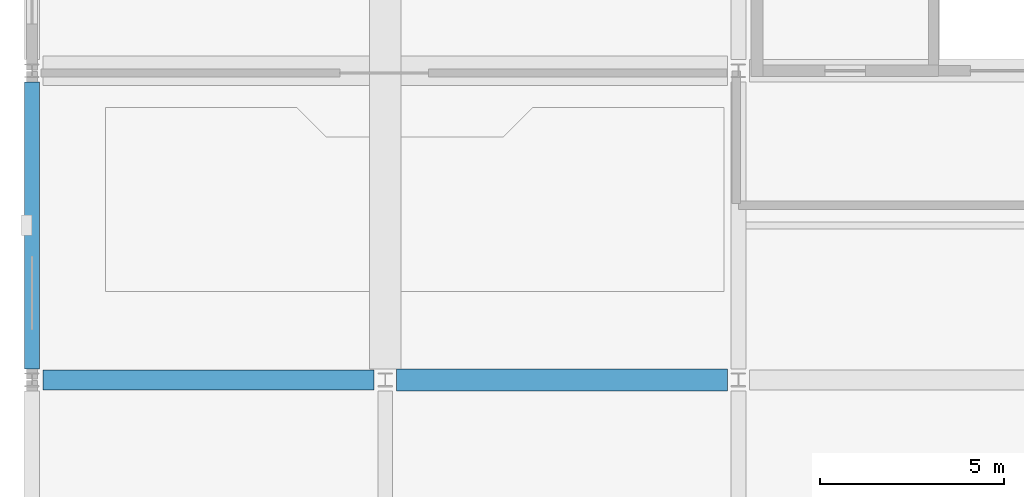
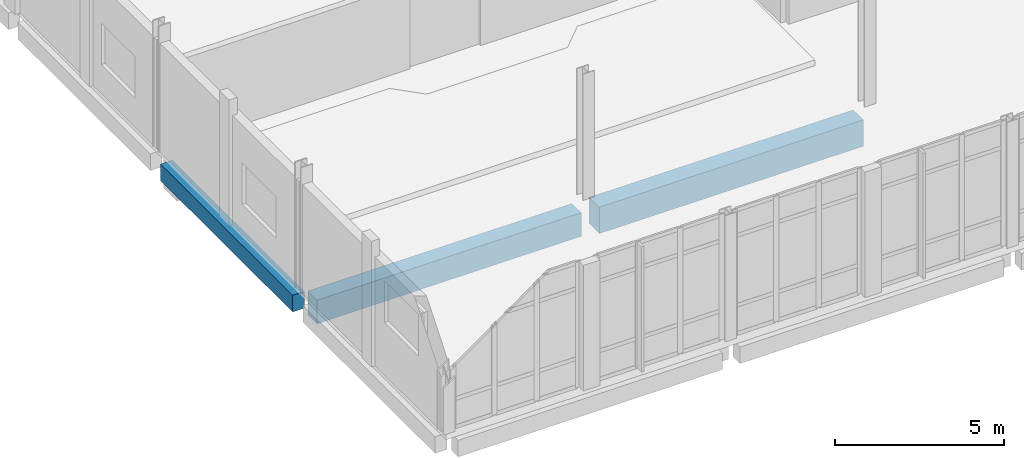
# One storey, part 52 of 102: 3 beams.
"""IFC4 building model written with IfcOpenShell, lengths in metres."""

from ifc_helpers import new_model, si_unit, direction, frame, origin, origin_2d, place, context, subcontext, project, spatial, rectangle, extrude, material, material_profile, profile_set, type_object, element, save


model = new_model("IFC4")

# Units and contexts
model_context = context("Model", 3, precision=1e-05, world=origin(), true_north=direction((0.0, 1.0)))
body_context = subcontext(model_context, "Body", "Model", "MODEL_VIEW")
ifc_project = project(units=[si_unit("LENGTHUNIT", "METRE"), si_unit("AREAUNIT", "SQUARE_METRE"), si_unit("VOLUMEUNIT", "CUBIC_METRE"), si_unit("PLANEANGLEUNIT", "RADIAN"), si_unit("MASSUNIT", "GRAM", prefix="KILO")], contexts=[model_context])

# Site, building, storey
site_placement = place(None, origin())
site = spatial("IfcSite", under=ifc_project, at=site_placement, CompositionType="ELEMENT")
building_placement = place(site_placement, origin())
building = spatial("IfcBuilding", under=site, at=building_placement, Name="Lornevale Opera House", CompositionType="ELEMENT")
storey_placement = place(building_placement, frame((0.0, 0.0, 5.39990234375)))
storey = spatial("IfcBuildingStorey", under=building, at=storey_placement, Name="L02", CompositionType="ELEMENT", Elevation=5.39990234375)

# Beams
ifc_material = material(Name="Concrete 35 MPa (CSA A23.1 N)", Category="concrete")
ifc_material_profile_1 = material_profile(ifc_material, rectangle(XDim=0.550048828125, YDim=0.85009765625, at=origin_2d()), Name="RC550x850")
ifc_profile_set_1 = profile_set([ifc_material_profile_1], Name="Concrete 35 MPa (CSA A23.1 N)")
beam_type_1 = type_object("IfcBeamType", Name="Concrete Primary Girder 550x850", PredefinedType="USERDEFINED", material=ifc_profile_set_1)
beam_1_placement = place(storey_placement, frame((0.300048828125, 75.60009765625, -0.77490234375), z_axis=(1.0, 0.0, 0.0), x_axis=(0.0, 1.0, 0.0)))
element("IfcBeam", 1, at=beam_1_placement, inside=storey, type_object=beam_type_1, Name="Concrete Primary Girder 550x850 1770", ObjectType="GIRDER", PredefinedType="USERDEFINED", context=body_context, shape_type="SweptSolid", body=[
    extrude(rectangle(XDim=0.550048828125, YDim=0.85009765625, at=origin_2d()), origin(), (0.0, 0.0, 1.0), 9.0),
])
ifc_material_profile_2 = material_profile(ifc_material, rectangle(XDim=0.60009765625, YDim=0.949951171875, at=origin_2d()), Name="RC600x950")
ifc_profile_set_2 = profile_set([ifc_material_profile_2], Name="Concrete 35 MPa (CSA A23.1 N)")
beam_type_2 = type_object("IfcBeamType", Name="Concrete Primary Girder 600x950", PredefinedType="USERDEFINED", material=ifc_profile_set_2)
beam_2_placement = place(storey_placement, frame((9.89990234375, 75.60009765625, -0.824951171875), z_axis=(1.0, 0.0, 0.0), x_axis=(0.0, 1.0, 0.0)))
element("IfcBeam", 2, at=beam_2_placement, inside=storey, type_object=beam_type_2, Name="Concrete Primary Girder 600x950 1771", ObjectType="GIRDER", PredefinedType="USERDEFINED", context=body_context, shape_type="SweptSolid", body=[
    extrude(rectangle(XDim=0.60009765625, YDim=0.949951171875, at=origin_2d()), origin(), (0.0, 0.0, 1.0), 9.0),
])
ifc_material_profile_3 = material_profile(ifc_material, rectangle(XDim=0.39990234375, YDim=0.60009765625, at=origin_2d()), Name="RC400x600")
ifc_profile_set_3 = profile_set([ifc_material_profile_3], Name="Concrete 35 MPa (CSA A23.1 N)")
beam_type_3 = type_object("IfcBeamType", Name="Concrete Spandrel Beam 400x600", PredefinedType="SPANDREL", material=ifc_profile_set_3)
beam_3_placement = place(storey_placement, frame((0.0, 75.89990234375, -0.64990234375), z_axis=(0.0, 1.0, 0.0), x_axis=(-1.0, 0.0, 0.0)))
element("IfcBeam", 3, at=beam_3_placement, inside=storey, type_object=beam_type_3, Name="Concrete Spandrel Beam 400x600 1830", PredefinedType="SPANDREL", context=body_context, shape_type="SweptSolid", body=[
    extrude(rectangle(XDim=0.39990234375, YDim=0.60009765625, at=origin_2d()), origin(), (0.0, 0.0, 1.0), 7.800048828125),
])

save(model, "model.ifc")
